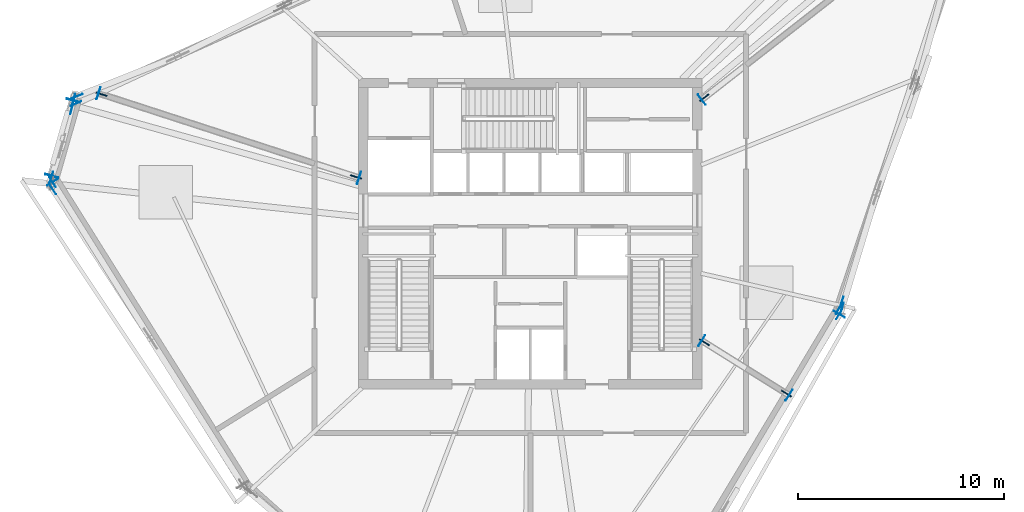
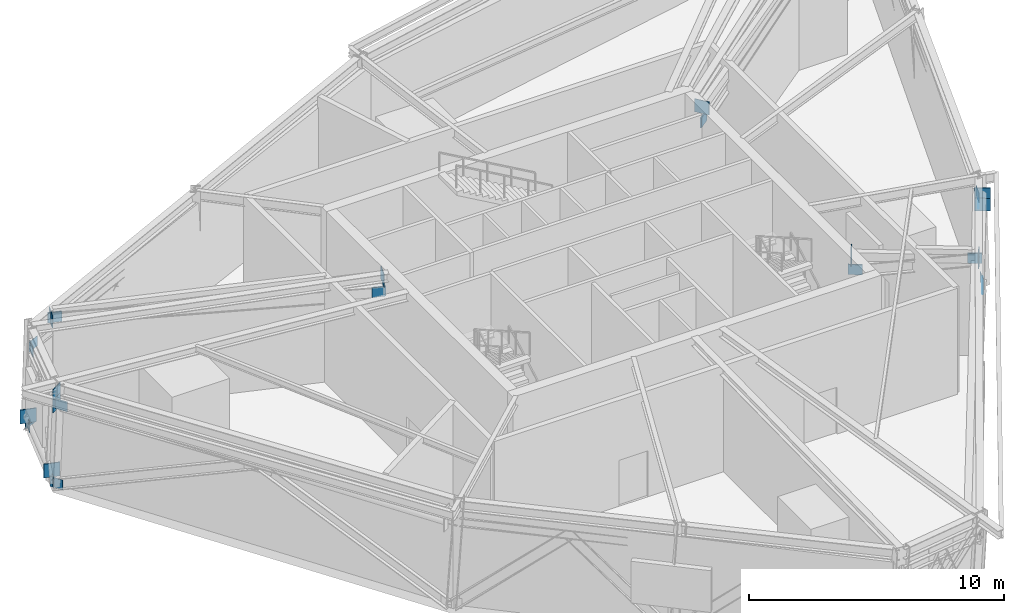
# One storey, part 6 of 15: 28 plates.
"""IFC4 building model written with IfcOpenShell, lengths in metres."""

import ifcopenshell
import ifcopenshell.guid

model = None  # the IFC model being written
_history = None  # IfcOwnerHistory: only IFC2X3 demands one
_inside = {}  # id of a spatial element -> (the spatial element, [elements in it])
_under = {}  # id of a project, library or spatial element -> (it, [spatial elements below it])
_declared = {}  # id of a project -> (the project, [libraries it declares])
_typed = {}  # id of a type object -> (the type object, [elements of that type])
_made_of = {}  # id of a material, layer set ... -> (it, [elements and type objects made of it])


def new_model(schema):
    """Start an empty IFC model of exactly this schema.

    Asked for "IFC4X3", IfcOpenShell would pick the latest addendum, in which some entities
    have other attributes; the version numbers below select the first issue.
    IFC2X3 requires an IfcOwnerHistory on every rooted entity: one is made here for all.
    """
    global model, _history
    if schema == "IFC4X3":
        model = ifcopenshell.file(schema_version=(4, 3, 0, 0))
    else:
        model = ifcopenshell.file(schema=schema)
    _inside.clear()
    _under.clear()
    _declared.clear()
    _typed.clear()
    _made_of.clear()
    _history = None
    if model.schema == "IFC2X3":
        org = make("IfcOrganization", Name="unknown")
        user = make(
            "IfcPersonAndOrganization",
            ThePerson=make("IfcPerson", FamilyName="unknown"),
            TheOrganization=org,
        )
        app = make(
            "IfcApplication",
            ApplicationDeveloper=org,
            Version="unknown",
            ApplicationFullName="unknown",
            ApplicationIdentifier="unknown",
        )
        _history = make(
            "IfcOwnerHistory",
            OwningUser=user,
            OwningApplication=app,
            ChangeAction="ADDED",
            CreationDate=0,
        )
    return model


def make(cls, **values):
    """One entity of the class cls with the attributes given. An attribute that is None is left unset."""
    return model.create_entity(
        cls, **{name: value for name, value in values.items() if value is not None}
    )


def rooted(cls, **values):
    """An entity with a GlobalId (a new one), such as an element, a storey or a relation."""
    return make(cls, GlobalId=ifcopenshell.guid.new(), OwnerHistory=_history, **values)


def si_unit(unit_type, name, prefix=None):
    """IfcSIUnit, for example si_unit("LENGTHUNIT", "METRE", prefix="MILLI")."""
    return make("IfcSIUnit", UnitType=unit_type, Prefix=prefix, Name=name)


def assignment(units):
    """IfcUnitAssignment: the units of a project."""
    return None if units is None else make("IfcUnitAssignment", Units=units)


def point(xyz):
    """IfcCartesianPoint."""
    return None if xyz is None else make("IfcCartesianPoint", Coordinates=xyz)


def direction(xyz):
    """IfcDirection."""
    return None if xyz is None else make("IfcDirection", DirectionRatios=xyz)


def frame(location, z_axis=None, x_axis=None):
    """IfcAxis2Placement3D, a coordinate frame: its origin and axes. An axis left out is left unset."""
    return make(
        "IfcAxis2Placement3D",
        Location=point(location),
        Axis=direction(z_axis),
        RefDirection=direction(x_axis),
    )


def frame_2d(location, x_axis=None):
    """IfcAxis2Placement2D, a coordinate frame in the plane: its origin and x axis."""
    return make(
        "IfcAxis2Placement2D", Location=point(location), RefDirection=direction(x_axis)
    )


def origin():
    """The frame at (0, 0, 0) with its axes left unset."""
    return frame((0.0, 0.0, 0.0))


def origin_2d():
    """The frame at (0, 0) in the plane with its x axis left unset."""
    return frame_2d((0.0, 0.0))


def place(relative_to, where):
    """IfcLocalPlacement: puts the frame where relative to a parent placement (None: the world)."""
    return make(
        "IfcLocalPlacement", PlacementRelTo=relative_to, RelativePlacement=where
    )


def context(
    kind, dimensions, precision=None, world=None, true_north=None, identifier=None
):
    """IfcGeometricRepresentationContext, for example the 3D "Model" context."""
    return make(
        "IfcGeometricRepresentationContext",
        ContextIdentifier=identifier,
        ContextType=kind,
        CoordinateSpaceDimension=dimensions,
        Precision=precision,
        WorldCoordinateSystem=world,
        TrueNorth=true_north,
    )


def subcontext(parent, identifier, kind, view, scale=None):
    """IfcGeometricRepresentationSubContext, for example "Body" below "Model"."""
    return make(
        "IfcGeometricRepresentationSubContext",
        ContextIdentifier=identifier,
        ContextType=kind,
        ParentContext=parent,
        TargetScale=scale,
        TargetView=view,
    )


def project(units=None, contexts=None):
    """IfcProject with its units and contexts."""
    return rooted(
        "IfcProject",
        Name="project",
        RepresentationContexts=contexts,
        UnitsInContext=assignment(units),
    )


def spatial(cls, under=None, at=None, **own):
    """A site, building, storey or space (cls), placed at a placement, below another one or the project."""
    s = rooted(cls, ObjectPlacement=at, **own)
    if under is not None:
        _under.setdefault(under.id(), (under, []))[1].append(s)
    return s


def profile(cls, at=None, kind="AREA", **sizes):
    """A parametric profile (cls). Its sizes go by their IFC names, for example OverallWidth=200.0."""
    return make(cls, ProfileType=kind, Position=at, **sizes)


def rectangle(**sizes):
    """IfcRectangleProfileDef."""
    return profile("IfcRectangleProfileDef", **sizes)


def extrude(swept, where, along, depth):
    """IfcExtrudedAreaSolid: the profile swept, set in the frame where, extruded along a direction by depth."""
    return make(
        "IfcExtrudedAreaSolid",
        SweptArea=swept,
        Position=where,
        ExtrudedDirection=direction(along),
        Depth=depth,
    )


def shape(context_of_items, identifier, shape_type, items):
    """IfcShapeRepresentation: the items that make up one representation, for example the "Body"."""
    return make(
        "IfcShapeRepresentation",
        ContextOfItems=context_of_items,
        RepresentationIdentifier=identifier,
        RepresentationType=shape_type,
        Items=items,
    )


def source(mapping_origin, context_of_items, identifier, shape_type, items):
    """IfcRepresentationMap: a shape defined once, which mapped items show again and again."""
    return make(
        "IfcRepresentationMap",
        MappingOrigin=mapping_origin,
        MappedRepresentation=shape(context_of_items, identifier, shape_type, items),
    )


def transform(
    local_origin,
    x_axis=None,
    y_axis=None,
    z_axis=None,
    scale=None,
    scale2=None,
    scale3=None,
    uniform=True,
):
    """IfcCartesianTransformationOperator3D, or its non-uniform kind. x_axis, y_axis, z_axis: its Axis1, 2, 3."""
    if uniform:
        return make(
            "IfcCartesianTransformationOperator3D",
            Axis1=direction(x_axis),
            Axis2=direction(y_axis),
            LocalOrigin=point(local_origin),
            Scale=scale,
            Axis3=direction(z_axis),
        )
    return make(
        "IfcCartesianTransformationOperator3DnonUniform",
        Axis1=direction(x_axis),
        Axis2=direction(y_axis),
        LocalOrigin=point(local_origin),
        Scale=scale,
        Axis3=direction(z_axis),
        Scale2=scale2,
        Scale3=scale3,
    )


def mapped(mapping_source, mapping_target):
    """IfcMappedItem: shows the shape of a source again, moved by a transform."""
    return make(
        "IfcMappedItem", MappingSource=mapping_source, MappingTarget=mapping_target
    )


def material(Name=None, Category=None):
    """IfcMaterial."""
    return make("IfcMaterial", Name=Name, Category=Category)


def made_of(thing, what):
    """Note that an element or type object is made of a material, layer set ...; save() writes the relation."""
    if what is not None:
        _made_of.setdefault(what.id(), (what, []))[1].append(thing)
    return thing


def type_object(cls, material=None, **own):
    """A type object (cls), such as IfcWallType, which elements share."""
    return made_of(rooted(cls, **own), material)


def element(
    cls,
    number,
    at=None,
    inside=None,
    cuts=None,
    type_object=None,
    material=None,
    context=None,
    identifier="Body",
    shape_type=None,
    held_by="IfcProductDefinitionShape",
    body=None,
    shapes=None,
    **own,
):
    """One element of the class cls, such as IfcWall. Its Tag is "e" and its number.

    at: its placement. inside: the storey or other place that contains it. cuts: it is an
    opening in that element (IfcRelVoidsElement). A single representation is given by context,
    identifier, shape_type and body (its items); several are given by shapes. held_by: the class
    of the entity that holds the representations. save() writes the other relations.
    """
    e = rooted(cls, Tag="e%d" % number, ObjectPlacement=at, **own)
    if body is not None:
        shapes = [shape(context, identifier, shape_type, body)]
    if shapes is not None:
        e.Representation = make(held_by, Representations=shapes)
    if inside is not None:
        _inside.setdefault(inside.id(), (inside, []))[1].append(e)
    if cuts is not None:
        rooted(
            "IfcRelVoidsElement", RelatingBuildingElement=cuts, RelatedOpeningElement=e
        )
    if type_object is not None:
        _typed.setdefault(type_object.id(), (type_object, []))[1].append(e)
    return made_of(e, material)


def aggregate(whole, parts):
    """IfcRelAggregates: a whole, such as a stair, and the parts it consists of."""
    return rooted("IfcRelAggregates", RelatingObject=whole, RelatedObjects=parts)


def save(model, path):
    """Write the relations noted so far, then the file.

    IfcRelAggregates (storeys below a building ...), IfcRelContainedInSpatialStructure (elements
    in a storey), IfcRelDefinesByType, IfcRelAssociatesMaterial and IfcRelDeclares: one each for
    every whole, place, type object, material and project.
    """
    for whole, parts in _under.values():
        aggregate(whole, parts)
    for where, things in _inside.values():
        rooted(
            "IfcRelContainedInSpatialStructure",
            RelatedElements=things,
            RelatingStructure=where,
        )
    for kind, things in _typed.values():
        rooted("IfcRelDefinesByType", RelatedObjects=things, RelatingType=kind)
    for what, things in _made_of.values():
        rooted("IfcRelAssociatesMaterial", RelatedObjects=things, RelatingMaterial=what)
    for by, libraries in _declared.values():
        rooted("IfcRelDeclares", RelatingContext=by, RelatedDefinitions=libraries)
    model.write(path)


model = new_model("IFC4")

# Units and contexts
model_context = context("Model", 3, precision=1e-05, world=origin(), true_north=direction((0.0, 1.0)))
body_context = subcontext(model_context, "Body", "Model", "MODEL_VIEW")
ifc_project = project(units=[si_unit("LENGTHUNIT", "METRE"), si_unit("AREAUNIT", "SQUARE_METRE"), si_unit("VOLUMEUNIT", "CUBIC_METRE"), si_unit("PLANEANGLEUNIT", "RADIAN"), si_unit("MASSUNIT", "GRAM", prefix="KILO")], contexts=[model_context])

# Site, building, storey
site_placement = place(None, origin())
site = spatial("IfcSite", under=ifc_project, at=site_placement, CompositionType="ELEMENT")
building_placement = place(site_placement, origin())
building = spatial("IfcBuilding", under=site, at=building_placement, Name="Olszyna Solenne Hotel", CompositionType="ELEMENT")
storey_placement = place(building_placement, frame((0.0, 0.0, 204.300048828125)))
storey = spatial("IfcBuildingStorey", under=building, at=storey_placement, Name="L54", CompositionType="ELEMENT", Elevation=204.300048828125)

# Plates
ifc_material_1 = material(Name="Steel S460M", Category="steel")
plate_type_1 = type_object("IfcPlateType", Name="GP-CAP2", PredefinedType="USERDEFINED", material=ifc_material_1)
shared_shape_1 = source(origin(), body_context, "Body", "SweptSolid", [
    extrude(rectangle(XDim=0.030029296875, YDim=0.6201171875, at=origin_2d()), origin(), (0.0, 0.0, 1.0), 0.6201171875),
])
for number, where, z_axis, x_axis, name in (
    (1, (46.33740234375, 21.39013671875, 4.31982421875), (0.0, 0.0, 1.0), (0.848048096156, -0.529919264233, 0.0), "Hollow section end-cap plate GP-CAP2 CP-OC-OC-L54-01-1"),
    (2, (50.586181640625, 18.7353515625, 4.31982421875), (0.0, 0.0, 1.0), (0.848048096156, -0.529919264233, 0.0), "Hollow section end-cap plate GP-CAP2 CP-OC-OC-L54-01-2"),
    (3, (46.338134765625, 33.114501953125, 4.31982421875), (0.0, 0.0, 1.0), (0.788010753607, 0.615661475326, 0.0), "Hollow section end-cap plate GP-CAP2 CP-OC-OC-L54-02-1"),
    (4, (29.664306640625, 29.30859375, 4.31982421875), (0.0, 0.0, 1.0), (-0.951056516295, 0.309016994375, 0.0), "Hollow section end-cap plate GP-CAP2 CP-OC-OC-L54-03-1"),
    (5, (16.9912109375, 33.426025390625, 4.31982421875), (0.0, 0.0, 1.0), (-0.951056516295, 0.309016994375, 0.0), "Hollow section end-cap plate GP-CAP2 CP-OC-OC-L54-03-2"),
    (6, (14.756103515625, 29.10693359375, 3.619873046875), (0.0, 0.0, 1.0), (0.531398579518, -0.847121921382, 0.0), "Hollow section end-cap plate GP-CAP2 CP-WT-WT-L54-21-1"),
    (7, (14.756103515625, 29.10693359375, 4.119873046875), (0.0, 0.0, 1.0), (0.531398579518, -0.847121921382, 0.0), "Hollow section end-cap plate GP-CAP2 CP-WT-WT-L54-22-1"),
    (8, (53.030517578125, 22.677734375, 3.619873046875), (0.0, 0.0, 1.0), (0.513691004814, 0.857975262798, 0.0), "Hollow section end-cap plate GP-CAP2 CP-WT-WT-L54-31-2"),
    (9, (53.030517578125, 22.677734375, 4.119873046875), (0.0, 0.0, 1.0), (0.513691004814, 0.857975262798, 0.0), "Hollow section end-cap plate GP-CAP2 CP-WT-WT-L54-32-2"),
):
    element("IfcPlate", number, at=place(storey_placement, frame(where, z_axis=z_axis, x_axis=x_axis)), inside=storey, type_object=plate_type_1, Name=name, ObjectType="GUSSET_PLATE", PredefinedType="USERDEFINED", context=body_context, shape_type="MappedRepresentation", body=[
        mapped(shared_shape_1, transform((0.0, 0.0, 0.0), x_axis=(1.0, 0.0, 0.0), y_axis=(0.0, 1.0, 0.0), z_axis=(0.0, 0.0, 1.0), scale=1.0)),
    ])
ifc_material_2 = material(Name="Steel S355J2", Category="steel")
plate_type_2 = type_object("IfcPlateType", Name="GP-ND2", PredefinedType="USERDEFINED", material=ifc_material_2)
shared_shape_2 = source(origin(), body_context, "Body", "SweptSolid", [
    extrude(rectangle(XDim=0.56005859375, YDim=0.02001953125, at=origin_2d()), origin(), (0.0, 0.0, 1.0), 0.47998046875),
])
for number, where, z_axis, x_axis, name in (
    (10, (15.7841796875, 33.130615234375, -0.127685546875), (0.0, 0.0, 1.0), (-0.255108257352, -0.966912497091, 0.0), "Brace end connection gusset plate GP-ND2 EP-BR-L54-2-1"),
    (11, (15.8955078125, 32.920166015625, 3.7900390625), (0.0, 0.0, 1.0), (-0.906749854826, -0.421668946893, 0.0), "Brace end connection gusset plate GP-ND2 EP-CH-L54-04-2"),
    (12, (15.94921875, 33.28076171875, -0.13623046875), (0.0, 0.0, 1.0), (0.92958360888, 0.36861133203, 0.0), "Brace end connection gusset plate GP-ND2 EP-BT-L54-04-2-1"),
    (13, (15.685302734375, 32.67041015625, 3.7900390625), (0.0, 0.0, 1.0), (-0.260504508643, -0.965472630879, 0.0), "Brace end connection gusset plate GP-ND2 EP-CH-L54-05-1"),
    (14, (15.779541015625, 33.114990234375, -0.099853515625), (0.0, 0.0, 1.0), (-0.250042041528, -0.968234980502, 0.0), "Brace end connection gusset plate GP-ND2 EP-BT-L54-05-1-1"),
    (15, (14.6962890625, 29.33642578125, -0.0908203125), (0.0, 0.0, 1.0), (0.311671636848, 0.950189870912, 0.0), "Brace end connection gusset plate GP-ND2 EP-BT-L54-05-2-1"),
    (16, (14.767333984375, 28.75146484375, 3.7900390625), (0.0, 0.0, 1.0), (0.546978918409, -0.837146380758, 0.0), "Brace end connection gusset plate GP-ND2 EP-CH-L54-06-1"),
    (17, (14.757568359375, 29.104248046875, -0.16357421875), (0.0, 0.0, 1.0), (0.529623207325, -0.848233021205, 0.0), "Brace end connection gusset plate GP-ND2 EP-BT-L54-06-1-1"),
    (18, (53.001953125, 22.92822265625, 3.7900390625), (0.0, 0.0, 1.0), (0.498336430137, 0.866983738255, 0.0), "Brace end connection gusset plate GP-ND2 EP-CH-L54-10-2"),
    (19, (53.027587890625, 22.67138671875, -0.17333984375), (0.0, 0.0, 1.0), (-0.509942503415, -0.860208488223, 0.0), "Brace end connection gusset plate GP-ND2 EP-BT-L54-10-2-1"),
    (20, (53.146484375, 23.255859375, 3.7900390625), (0.0, 0.0, 1.0), (0.305861478234, 0.952076024345, 0.0), "Brace end connection gusset plate GP-ND2 EP-CH-L54-11-1"),
    (21, (53.16162109375, 22.968505859375, -0.14208984375), (0.0, 0.0, 1.0), (0.289198876314, 0.957269037387, 0.0), "Brace end connection gusset plate GP-ND2 EP-BT-L54-11-1-1"),
):
    element("IfcPlate", number, at=place(storey_placement, frame(where, z_axis=z_axis, x_axis=x_axis)), inside=storey, type_object=plate_type_2, Name=name, ObjectType="GUSSET_PLATE", PredefinedType="USERDEFINED", context=body_context, shape_type="MappedRepresentation", body=[
        mapped(shared_shape_2, transform((0.0, 0.0, 0.0), x_axis=(1.0, 0.0, 0.0), y_axis=(0.0, 1.0, 0.0), z_axis=(0.0, 0.0, 1.0), scale=1.0)),
    ])
plate_type_3 = type_object("IfcPlateType", Name="GP-ND1", PredefinedType="USERDEFINED", material=ifc_material_1)
shared_shape_3 = source(origin(), body_context, "Body", "SweptSolid", [
    extrude(rectangle(XDim=0.56005859375, YDim=0.06005859375, at=origin_2d()), origin(), (0.0, 0.0, 1.0), 0.47998046875),
])
for number, where, z_axis, x_axis, name in (
    (22, (46.467529296875, 21.308837890625, 3.70947265625), (0.0, 0.0, 1.0), (0.848048096156, -0.529919264233, 0.0), "Brace end connection gusset plate GP-ND1 EP-OU-L54-01-1"),
    (23, (50.455810546875, 18.816650390625, 4.370361328125), (0.0, 0.0, 1.0), (0.848048096156, -0.529919264233, 0.0), "Brace end connection gusset plate GP-ND1 EP-OU-L54-01-2"),
    (24, (46.460205078125, 33.209716796875, 3.69580078125), (0.0, 0.0, 1.0), (0.788010753607, 0.615661475326, 0.0), "Brace end connection gusset plate GP-ND1 EP-OU-L54-02-1"),
    (25, (29.51708984375, 29.356201171875, 3.697265625), (0.0, 0.0, 1.0), (-0.951056516295, 0.309016994375, 0.0), "Brace end connection gusset plate GP-ND1 EP-OU-L54-03-1"),
    (26, (17.138671875, 33.37841796875, 4.382568359375), (0.0, 0.0, 1.0), (-0.951056516295, 0.309016994375, 0.0), "Brace end connection gusset plate GP-ND1 EP-OU-L54-03-2"),
):
    element("IfcPlate", number, at=place(storey_placement, frame(where, z_axis=z_axis, x_axis=x_axis)), inside=storey, type_object=plate_type_3, Name=name, ObjectType="GUSSET_PLATE", PredefinedType="USERDEFINED", context=body_context, shape_type="MappedRepresentation", body=[
        mapped(shared_shape_3, transform((0.0, 0.0, 0.0), x_axis=(1.0, 0.0, 0.0), y_axis=(0.0, 1.0, 0.0), z_axis=(0.0, 0.0, 1.0), scale=1.0)),
    ])
plate_type_4 = type_object("IfcPlateType", Name="GP-CAP1", PredefinedType="USERDEFINED", material=ifc_material_1)
shared_shape_4 = source(origin(), body_context, "Body", "SweptSolid", [
    extrude(rectangle(XDim=0.0400390625, YDim=0.659912109375, at=origin_2d()), origin(), (0.0, 0.0, 1.0), 0.659912109375),
])
for number, where, z_axis, x_axis, name in (
    (27, (15.764404296875, 33.069091796875, 0.22021484375), (0.0, 0.0, 1.0), (-0.275637355817, -0.961261695938, 0.0), "Hollow section end-cap plate GP-CAP1 CP-CTB-CTB-L54-2-1"),
    (28, (14.712646484375, 29.400634765625, 0.22021484375), (0.0, 0.0, 1.0), (-0.275637355817, -0.961261695938, 0.0), "Hollow section end-cap plate GP-CAP1 CP-CTB-CTB-L54-2-2"),
):
    element("IfcPlate", number, at=place(storey_placement, frame(where, z_axis=z_axis, x_axis=x_axis)), inside=storey, type_object=plate_type_4, Name=name, ObjectType="GUSSET_PLATE", PredefinedType="USERDEFINED", context=body_context, shape_type="MappedRepresentation", body=[
        mapped(shared_shape_4, transform((0.0, 0.0, 0.0), x_axis=(1.0, 0.0, 0.0), y_axis=(0.0, 1.0, 0.0), z_axis=(0.0, 0.0, 1.0), scale=1.0)),
    ])

save(model, "model.ifc")
